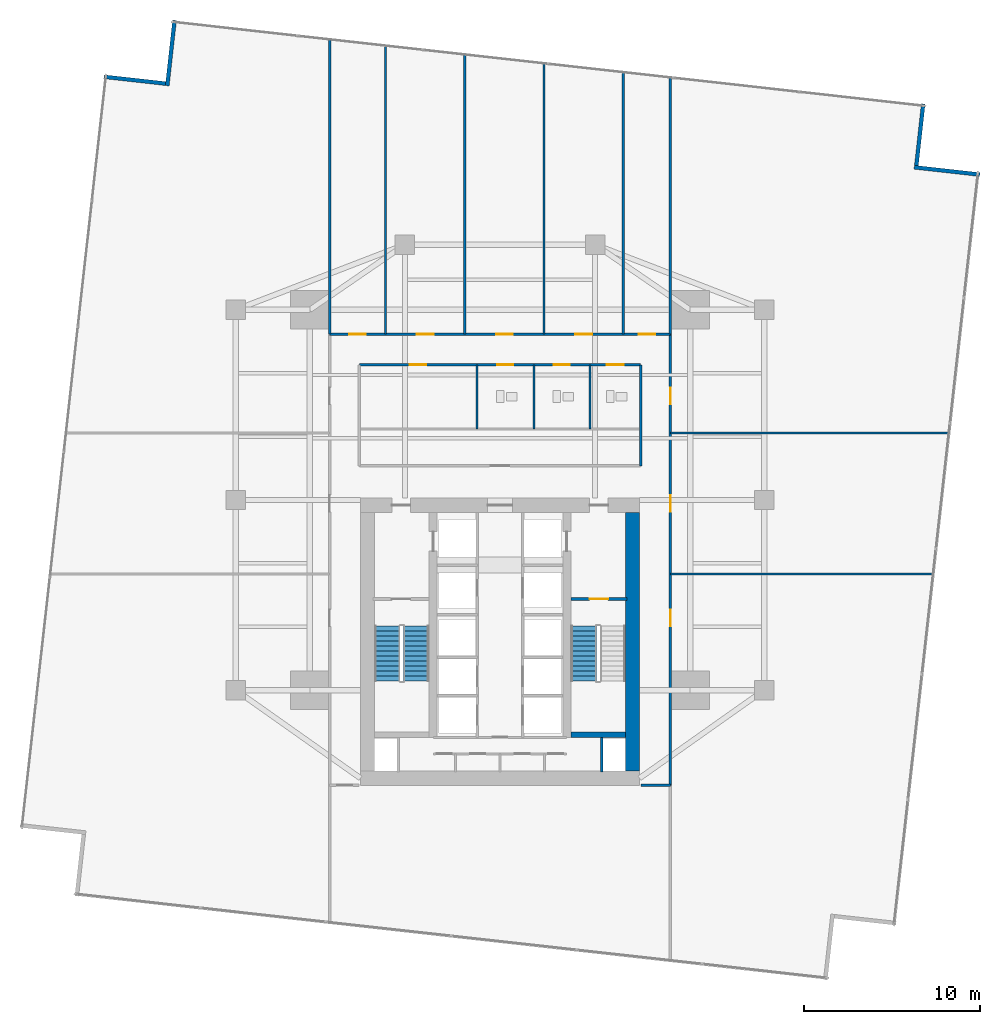
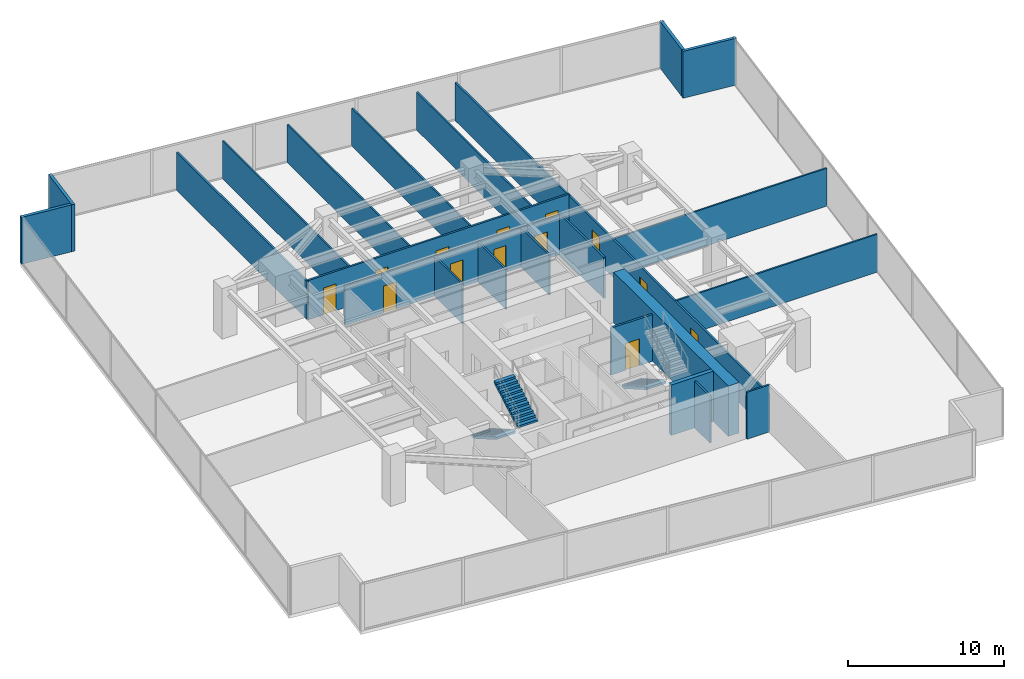
# One storey, part 26 of 29: 24 walls, 13 doors, 3 stair flights, 13 openings, 2 elements without a shape of their own.
"""IFC4 building model written with IfcOpenShell, lengths in metres."""

from ifc_helpers import new_model, si_unit, direction, frame, frame_2d, origin, place, context, subcontext, project, spatial, polyline, rectangle, outline, extrude, material, layer, layer_set, type_object, element, fill, aggregate, save


model = new_model("IFC4")

# Units and contexts
model_context = context("Model", 3, precision=1e-05, world=origin(), true_north=direction((0.0, 1.0)))
body_context = subcontext(model_context, "Body", "Model", "MODEL_VIEW")
ifc_project = project(units=[si_unit("LENGTHUNIT", "METRE"), si_unit("AREAUNIT", "SQUARE_METRE"), si_unit("VOLUMEUNIT", "CUBIC_METRE"), si_unit("PLANEANGLEUNIT", "RADIAN"), si_unit("MASSUNIT", "GRAM", prefix="KILO")], contexts=[model_context])

# Site, building, storey
site_placement = place(None, origin())
site = spatial("IfcSite", under=ifc_project, at=site_placement, CompositionType="ELEMENT")
building_placement = place(site_placement, origin())
building = spatial("IfcBuilding", under=site, at=building_placement, Name="Krantzveldt Concourse Tower", CompositionType="ELEMENT")
storey_placement = place(building_placement, frame((0.0, 0.0, 60.550048828125)))
storey = spatial("IfcBuildingStorey", under=building, at=storey_placement, Name="L14", CompositionType="ELEMENT", Elevation=60.550048828125)

# Walls
ifc_material_1 = material(Name="Anodised aluminium 6063-T6", Category="aluminium")
ifc_layer_1 = layer(ifc_material_1, 0.219970703125, Name="Anodised aluminium 6063-T6", Category="aluminium")
ifc_layer_set_1 = layer_set([ifc_layer_1], Name="Anodised aluminium 6063-T6 (WL-EXT-NOTCH220)")
wall_type_1 = type_object("IfcWallType", Name="WL-EXT-NOTCH220", PredefinedType="ELEMENTEDWALL", material=ifc_layer_set_1)
wall_1_placement = place(storey_placement, frame((17.008056640625, 50.344970703125, 0.0), z_axis=(0.0, 0.0, 1.0), x_axis=(-0.993817675948, 0.111024443135, 0.0)))
element("IfcWall", 1, at=wall_1_placement, inside=storey, type_object=wall_type_1, Name="EW-L14-NCH00", PredefinedType="ELEMENTEDWALL", context=body_context, shape_type="SweptSolid", body=[
    extrude(rectangle(XDim=3.52490234375, YDim=0.219970703125, at=frame_2d((1.762451171875, 0.0))), origin(), (0.0, 0.0, 1.0), 3.669921875),
])
wall_2_placement = place(storey_placement, frame((63.245361328125, 45.178955078125, 0.0), z_axis=(0.0, 0.0, 1.0), x_axis=(-0.99381117716, 0.111082600583, 0.0)))
element("IfcWall", 2, at=wall_2_placement, inside=storey, type_object=wall_type_1, Name="EW-L14-NCH08", PredefinedType="ELEMENTEDWALL", context=body_context, shape_type="SweptSolid", body=[
    extrude(rectangle(XDim=3.7451171875, YDim=0.219970703125, at=frame_2d((1.87255859375, 0.0))), origin(), (0.0, 0.0, 1.0), 3.669921875),
])
wall_3_placement = place(storey_placement, frame((59.64501953125, 45.69189453125, 0.0), z_axis=(0.0, 0.0, 1.0), x_axis=(0.111016801598, 0.993818529593, 0.0)))
element("IfcWall", 3, at=wall_3_placement, inside=storey, type_object=wall_type_1, Name="EW-L14-NCH09", PredefinedType="ELEMENTEDWALL", context=body_context, shape_type="SweptSolid", body=[
    extrude(rectangle(XDim=3.525146484375, YDim=0.219970703125, at=frame_2d((1.7626953125, 0.0))), origin(), (0.0, 0.0, 1.0), 3.669921875),
])
wall_4_placement = place(storey_placement, frame((17.52099609375, 53.9453125, 0.0), z_axis=(0.0, 0.0, 1.0), x_axis=(-0.111082600583, -0.99381117716, 0.0)))
element("IfcWall", 4, at=wall_4_placement, inside=storey, type_object=wall_type_1, Name="EW-L14-NCH11", PredefinedType="ELEMENTEDWALL", context=body_context, shape_type="SweptSolid", body=[
    extrude(rectangle(XDim=3.7451171875, YDim=0.219970703125, at=frame_2d((1.87255859375, 0.0))), origin(), (0.0, 0.0, 1.0), 3.669921875),
])
ifc_material_2 = material(Name="Fire-rated gypsum plasterboard on steel stud", Category="steel")
ifc_layer_2 = layer(ifc_material_2, 0.1201171875, Name="Fire-rated gypsum plasterboard on steel stud", Category="steel")
ifc_layer_set_2 = layer_set([ifc_layer_2], Name="Fire-rated gypsum plasterboard on steel stud (WL-PART-120)")
wall_type_2 = type_object("IfcWallType", Name="WL-PART-120", PredefinedType="PARTITIONING", material=ifc_layer_set_2)
for number, where, z_axis, x_axis, name in (
    (5, (37.919921875, 30.739990234375, 0.0), (0.0, 0.0, 1.0), (0.0, 1.0, 0.0), "WP-L14-WCD1"),
    (6, (41.1201171875, 30.739990234375, 0.0), (0.0, 0.0, 1.0), (0.0, 1.0, 0.0), "WP-L14-WCD2"),
    (7, (34.699951171875, 30.739990234375, 0.0), (0.0, 0.0, 1.0), (0.0, 1.0, 0.0), "WP-L14-WCD3"),
):
    element("IfcWall", number, at=place(storey_placement, frame(where, z_axis=z_axis, x_axis=x_axis)), inside=storey, type_object=wall_type_2, Name=name, PredefinedType="PARTITIONING", context=body_context, shape_type="SweptSolid", body=[
        extrude(rectangle(XDim=3.639892578125, YDim=0.1201171875, at=frame_2d((1.81982421875, 0.0))), origin(), (0.0, 0.0, 1.0), 3.119873046875),
    ])
wall_5_placement = place(storey_placement, frame((29.5, 36.1201171875, 0.0), z_axis=(0.0, 0.0, 1.0), x_axis=(0.0, 1.0, 0.0)))
element("IfcWall", 8, at=wall_5_placement, inside=storey, type_object=wall_type_2, Name="WP-L14-ND1", PredefinedType="PARTITIONING", context=body_context, shape_type="SweptSolid", body=[
    extrude(rectangle(XDim=16.37109375, YDim=0.1201171875, at=frame_2d((8.185546875, 0.0))), origin(), (0.0, 0.0, 1.0), 2.969970703125),
])
wall_6_placement = place(storey_placement, frame((34.0, 36.1201171875, 0.0), z_axis=(0.0, 0.0, 1.0), x_axis=(0.0, 1.0, 0.0)))
element("IfcWall", 9, at=wall_6_placement, inside=storey, type_object=wall_type_2, Name="WP-L14-ND2", PredefinedType="PARTITIONING", context=body_context, shape_type="SweptSolid", body=[
    extrude(rectangle(XDim=15.8681640625, YDim=0.1201171875, at=frame_2d((7.93408203125, 0.0))), origin(), (0.0, 0.0, 1.0), 2.969970703125),
])
wall_7_placement = place(storey_placement, frame((38.5, 36.1201171875, 0.0), z_axis=(0.0, 0.0, 1.0), x_axis=(0.0, 1.0, 0.0)))
element("IfcWall", 10, at=wall_7_placement, inside=storey, type_object=wall_type_2, Name="WP-L14-ND3", PredefinedType="PARTITIONING", context=body_context, shape_type="SweptSolid", body=[
    extrude(rectangle(XDim=15.365478515625, YDim=0.1201171875, at=frame_2d((7.6826171875, 0.0))), origin(), (0.0, 0.0, 1.0), 2.969970703125),
])
wall_8_placement = place(storey_placement, frame((43.0, 36.1201171875, 0.0), z_axis=(0.0, 0.0, 1.0), x_axis=(0.0, 1.0, 0.0)))
element("IfcWall", 11, at=wall_8_placement, inside=storey, type_object=wall_type_2, Name="WP-L14-ND4", PredefinedType="PARTITIONING", context=body_context, shape_type="SweptSolid", body=[
    extrude(rectangle(XDim=14.86279296875, YDim=0.1201171875, at=frame_2d((7.431396484375, 0.0))), origin(), (0.0, 0.0, 1.0), 2.969970703125),
])
wall_9_placement = place(storey_placement, frame((45.679931640625, 22.5, 0.0), z_axis=(0.0, 0.0, 1.0), x_axis=(1.0, 0.0, 0.0)))
element("IfcWall", 12, at=wall_9_placement, inside=storey, type_object=wall_type_2, Name="WP-L14-ED1", PredefinedType="PARTITIONING", context=body_context, shape_type="SweptSolid", body=[
    extrude(rectangle(XDim=14.915771484375, YDim=0.1201171875, at=frame_2d((7.4580078125, 0.0))), origin(), (0.0, 0.0, 1.0), 2.969970703125),
])
wall_10_placement = place(storey_placement, frame((45.679931640625, 30.5, 0.0), z_axis=(0.0, 0.0, 1.0), x_axis=(1.0, 0.0, 0.0)))
element("IfcWall", 13, at=wall_10_placement, inside=storey, type_object=wall_type_2, Name="WP-L14-ED2", PredefinedType="PARTITIONING", context=body_context, shape_type="SweptSolid", body=[
    extrude(rectangle(XDim=15.8095703125, YDim=0.1201171875, at=frame_2d((7.90478515625, 0.0))), origin(), (0.0, 0.0, 1.0), 2.969970703125),
])

# Wall, openings, doors
ifc_layer_3 = layer(ifc_material_2, 0.139892578125, Name="Fire-rated gypsum plasterboard on steel stud", Category="steel")
ifc_layer_set_3 = layer_set([ifc_layer_3], Name="Fire-rated gypsum plasterboard on steel stud (WL-PART-140)")
wall_type_3 = type_object("IfcWallType", Name="WL-PART-140", PredefinedType="PARTITIONING", material=ifc_layer_set_3)
wall_11_placement = place(storey_placement, frame((28.02001953125, 34.3798828125, 0.0), z_axis=(0.0, 0.0, 1.0), x_axis=(1.0, 0.0, 0.0)))
wall_11 = element("IfcWall", 14, at=wall_11_placement, inside=storey, type_object=wall_type_3, Name="WP-L14-ISLN", PredefinedType="PARTITIONING", context=body_context, shape_type="SweptSolid", body=[
    extrude(rectangle(XDim=15.9599609375, YDim=0.139892578125, at=frame_2d((7.97998046875, 0.0))), origin(), (0.0, 0.0, 1.0), 3.079833984375),
])
opening_1_placement = place(wall_11_placement, frame((7.830078125, 0.0, 0.0)))
opening_1 = element("IfcOpeningElement", 15, at=opening_1_placement, cuts=wall_11, Name="Opening D-IN090", PredefinedType="OPENING", context=body_context, shape_type="SweptSolid", body=[
    extrude(rectangle(XDim=0.89990234375, YDim=2.10009765625, at=frame_2d((0.449951171875, 1.050048828125))), frame((0.0, 0.080078125, 0.0), z_axis=(0.0, -1.0, 0.0), x_axis=(1.0, 0.0, 0.0)), (0.0, 0.0, 1.0), 0.159912109375),
])
opening_2_placement = place(wall_11_placement, frame((11.030029296875, 0.0, 0.0)))
opening_2 = element("IfcOpeningElement", 16, at=opening_2_placement, cuts=wall_11, Name="Opening D-IN090", PredefinedType="OPENING", context=body_context, shape_type="SweptSolid", body=[
    extrude(rectangle(XDim=0.89990234375, YDim=2.10009765625, at=frame_2d((0.449951171875, 1.050048828125))), frame((0.0, 0.080078125, 0.0), z_axis=(0.0, -1.0, 0.0), x_axis=(1.0, 0.0, 0.0)), (0.0, 0.0, 1.0), 0.159912109375),
])
opening_3_placement = place(wall_11_placement, frame((14.054931640625, 0.0, 0.0)))
opening_3 = element("IfcOpeningElement", 17, at=opening_3_placement, cuts=wall_11, Name="Opening D-IN095", PredefinedType="OPENING", context=body_context, shape_type="SweptSolid", body=[
    extrude(rectangle(XDim=0.949951171875, YDim=2.10009765625, at=frame_2d((0.47509765625, 1.050048828125))), frame((0.0, 0.080078125, 0.0), z_axis=(0.0, -1.0, 0.0), x_axis=(1.0, 0.0, 0.0)), (0.0, 0.0, 1.0), 0.159912109375),
])
opening_4_placement = place(wall_11_placement, frame((2.85498046875, 0.0, 0.0)))
opening_4 = element("IfcOpeningElement", 18, at=opening_4_placement, cuts=wall_11, Name="Opening D-IN095", PredefinedType="OPENING", context=body_context, shape_type="SweptSolid", body=[
    extrude(rectangle(XDim=0.949951171875, YDim=2.10009765625, at=frame_2d((0.47509765625, 1.050048828125))), frame((0.0, 0.080078125, 0.0), z_axis=(0.0, -1.0, 0.0), x_axis=(1.0, 0.0, 0.0)), (0.0, 0.0, 1.0), 0.159912109375),
])
ifc_material_3 = material(Name="Hardwood timber", Category="wood")
door_type_1 = type_object("IfcDoorType", Name="DR-INT-900", OperationType="SINGLE_SWING_LEFT", PredefinedType="DOOR", material=ifc_material_3)
door_1_placement = place(opening_1_placement, origin())
door_1 = element("IfcDoor", 19, at=door_1_placement, inside=storey, type_object=door_type_1, Name="DR-L14-WCM", OperationType="SINGLE_SWING_LEFT", OverallHeight=2.10009765625, OverallWidth=0.89990234375, PredefinedType="DOOR", context=body_context, shape_type="SweptSolid", body=[
    extrude(rectangle(XDim=0.89990234375, YDim=2.10009765625, at=frame_2d((0.449951171875, 1.050048828125))), frame((0.0, 0.02490234375, 0.0), z_axis=(0.0, -1.0, 0.0), x_axis=(1.0, 0.0, 0.0)), (0.0, 0.0, 1.0), 0.050048828125),
])
fill(opening_1, door_1)
door_2_placement = place(opening_2_placement, origin())
door_2 = element("IfcDoor", 20, at=door_2_placement, inside=storey, type_object=door_type_1, Name="DR-L14-WCF", OperationType="SINGLE_SWING_RIGHT", OverallHeight=2.10009765625, OverallWidth=0.89990234375, PredefinedType="DOOR", context=body_context, shape_type="SweptSolid", body=[
    extrude(rectangle(XDim=0.89990234375, YDim=2.10009765625, at=frame_2d((0.449951171875, 1.050048828125))), frame((0.0, 0.02490234375, 0.0), z_axis=(0.0, -1.0, 0.0), x_axis=(1.0, 0.0, 0.0)), (0.0, 0.0, 1.0), 0.050048828125),
])
fill(opening_2, door_2)
door_type_2 = type_object("IfcDoorType", Name="DR-INT-950", OperationType="SINGLE_SWING_LEFT", PredefinedType="DOOR", material=ifc_material_3)
door_3_placement = place(opening_3_placement, origin())
door_3 = element("IfcDoor", 21, at=door_3_placement, inside=storey, type_object=door_type_2, Name="DR-L14-WCA", OperationType="SINGLE_SWING_LEFT", OverallHeight=2.10009765625, OverallWidth=0.949951171875, PredefinedType="DOOR", context=body_context, shape_type="SweptSolid", body=[
    extrude(rectangle(XDim=0.949951171875, YDim=2.10009765625, at=frame_2d((0.47509765625, 1.050048828125))), frame((0.0, 0.02490234375, 0.0), z_axis=(0.0, -1.0, 0.0), x_axis=(1.0, 0.0, 0.0)), (0.0, 0.0, 1.0), 0.050048828125),
])
fill(opening_3, door_3)
door_4_placement = place(opening_4_placement, origin())
door_4 = element("IfcDoor", 22, at=door_4_placement, inside=storey, type_object=door_type_2, Name="DR-L14-PNT", OperationType="SINGLE_SWING_RIGHT", OverallHeight=2.10009765625, OverallWidth=0.949951171875, PredefinedType="DOOR", context=body_context, shape_type="SweptSolid", body=[
    extrude(rectangle(XDim=0.949951171875, YDim=2.10009765625, at=frame_2d((0.47509765625, 1.050048828125))), frame((0.0, 0.02490234375, 0.0), z_axis=(0.0, -1.0, 0.0), x_axis=(1.0, 0.0, 0.0)), (0.0, 0.0, 1.0), 0.050048828125),
])
fill(opening_4, door_4)

# Wall
wall_12_placement = place(storey_placement, frame((43.97998046875, 28.639892578125, 0.0), z_axis=(0.0, 0.0, 1.0), x_axis=(0.0, 1.0, 0.0)))
element("IfcWall", 23, at=wall_12_placement, inside=storey, type_object=wall_type_3, Name="WP-L14-ISLE", PredefinedType="PARTITIONING", context=body_context, shape_type="SweptSolid", body=[
    extrude(rectangle(XDim=5.739990234375, YDim=0.139892578125, at=frame_2d((2.8701171875, 0.0))), origin(), (0.0, 0.0, 1.0), 3.219970703125),
])

# Wall, openings, doors
wall_13_placement = place(storey_placement, frame((26.320068359375, 36.1201171875, 0.0), z_axis=(0.0, 0.0, 1.0), x_axis=(1.0, 0.0, 0.0)))
wall_13 = element("IfcWall", 24, at=wall_13_placement, inside=storey, type_object=wall_type_3, Name="WP-L14-CTOP", PredefinedType="PARTITIONING", context=body_context, shape_type="SweptSolid", body=[
    extrude(rectangle(XDim=19.35986328125, YDim=0.139892578125, at=frame_2d((9.679931640625, 0.0))), origin(), (0.0, 0.0, 1.0), 3.079833984375),
])
opening_5_placement = place(wall_13_placement, frame((1.114990234375, 0.0, 0.0)))
opening_5 = element("IfcOpeningElement", 25, at=opening_5_placement, cuts=wall_13, Name="Opening D-IN095", PredefinedType="OPENING", context=body_context, shape_type="SweptSolid", body=[
    extrude(rectangle(XDim=0.949951171875, YDim=2.10009765625, at=frame_2d((0.47509765625, 1.050048828125))), frame((0.0, 0.080078125, 0.0), z_axis=(0.0, -1.0, 0.0), x_axis=(1.0, 0.0, 0.0)), (0.0, 0.0, 1.0), 0.159912109375),
])
opening_6_placement = place(wall_13_placement, frame((4.955078125, 0.0, 0.0)))
opening_6 = element("IfcOpeningElement", 26, at=opening_6_placement, cuts=wall_13, Name="Opening D-IN095", PredefinedType="OPENING", context=body_context, shape_type="SweptSolid", body=[
    extrude(rectangle(XDim=0.949951171875, YDim=2.10009765625, at=frame_2d((0.47509765625, 1.050048828125))), frame((0.0, 0.080078125, 0.0), z_axis=(0.0, -1.0, 0.0), x_axis=(1.0, 0.0, 0.0)), (0.0, 0.0, 1.0), 0.159912109375),
])
opening_7_placement = place(wall_13_placement, frame((9.455078125, 0.0, 0.0)))
opening_7 = element("IfcOpeningElement", 27, at=opening_7_placement, cuts=wall_13, Name="Opening D-IN095", PredefinedType="OPENING", context=body_context, shape_type="SweptSolid", body=[
    extrude(rectangle(XDim=0.949951171875, YDim=2.10009765625, at=frame_2d((0.47509765625, 1.050048828125))), frame((0.0, 0.080078125, 0.0), z_axis=(0.0, -1.0, 0.0), x_axis=(1.0, 0.0, 0.0)), (0.0, 0.0, 1.0), 0.159912109375),
])
opening_8_placement = place(wall_13_placement, frame((13.955078125, 0.0, 0.0)))
opening_8 = element("IfcOpeningElement", 28, at=opening_8_placement, cuts=wall_13, Name="Opening D-IN095", PredefinedType="OPENING", context=body_context, shape_type="SweptSolid", body=[
    extrude(rectangle(XDim=0.949951171875, YDim=2.10009765625, at=frame_2d((0.47509765625, 1.050048828125))), frame((0.0, 0.080078125, 0.0), z_axis=(0.0, -1.0, 0.0), x_axis=(1.0, 0.0, 0.0)), (0.0, 0.0, 1.0), 0.159912109375),
])
opening_9_placement = place(wall_13_placement, frame((17.544921875, 0.0, 0.0)))
opening_9 = element("IfcOpeningElement", 29, at=opening_9_placement, cuts=wall_13, Name="Opening D-IN095", PredefinedType="OPENING", context=body_context, shape_type="SweptSolid", body=[
    extrude(rectangle(XDim=0.949951171875, YDim=2.10009765625, at=frame_2d((0.47509765625, 1.050048828125))), frame((0.0, 0.080078125, 0.0), z_axis=(0.0, -1.0, 0.0), x_axis=(1.0, 0.0, 0.0)), (0.0, 0.0, 1.0), 0.159912109375),
])
door_5_placement = place(opening_5_placement, origin())
door_5 = element("IfcDoor", 30, at=door_5_placement, inside=storey, type_object=door_type_2, Name="DR-L14-NR1", OperationType="SINGLE_SWING_LEFT", OverallHeight=2.10009765625, OverallWidth=0.949951171875, PredefinedType="DOOR", context=body_context, shape_type="SweptSolid", body=[
    extrude(rectangle(XDim=0.949951171875, YDim=2.10009765625, at=frame_2d((0.47509765625, 1.050048828125))), frame((0.0, 0.02490234375, 0.0), z_axis=(0.0, -1.0, 0.0), x_axis=(1.0, 0.0, 0.0)), (0.0, 0.0, 1.0), 0.050048828125),
])
fill(opening_5, door_5)
door_6_placement = place(opening_6_placement, origin())
door_6 = element("IfcDoor", 31, at=door_6_placement, inside=storey, type_object=door_type_2, Name="DR-L14-NR2", OperationType="SINGLE_SWING_LEFT", OverallHeight=2.10009765625, OverallWidth=0.949951171875, PredefinedType="DOOR", context=body_context, shape_type="SweptSolid", body=[
    extrude(rectangle(XDim=0.949951171875, YDim=2.10009765625, at=frame_2d((0.47509765625, 1.050048828125))), frame((0.0, 0.02490234375, 0.0), z_axis=(0.0, -1.0, 0.0), x_axis=(1.0, 0.0, 0.0)), (0.0, 0.0, 1.0), 0.050048828125),
])
fill(opening_6, door_6)
door_7_placement = place(opening_7_placement, origin())
door_7 = element("IfcDoor", 32, at=door_7_placement, inside=storey, type_object=door_type_2, Name="DR-L14-NR3", OperationType="SINGLE_SWING_LEFT", OverallHeight=2.10009765625, OverallWidth=0.949951171875, PredefinedType="DOOR", context=body_context, shape_type="SweptSolid", body=[
    extrude(rectangle(XDim=0.949951171875, YDim=2.10009765625, at=frame_2d((0.47509765625, 1.050048828125))), frame((0.0, 0.02490234375, 0.0), z_axis=(0.0, -1.0, 0.0), x_axis=(1.0, 0.0, 0.0)), (0.0, 0.0, 1.0), 0.050048828125),
])
fill(opening_7, door_7)
door_8_placement = place(opening_8_placement, origin())
door_8 = element("IfcDoor", 33, at=door_8_placement, inside=storey, type_object=door_type_2, Name="DR-L14-NR4", OperationType="SINGLE_SWING_LEFT", OverallHeight=2.10009765625, OverallWidth=0.949951171875, PredefinedType="DOOR", context=body_context, shape_type="SweptSolid", body=[
    extrude(rectangle(XDim=0.949951171875, YDim=2.10009765625, at=frame_2d((0.47509765625, 1.050048828125))), frame((0.0, 0.02490234375, 0.0), z_axis=(0.0, -1.0, 0.0), x_axis=(1.0, 0.0, 0.0)), (0.0, 0.0, 1.0), 0.050048828125),
])
fill(opening_8, door_8)
door_9_placement = place(opening_9_placement, origin())
door_9 = element("IfcDoor", 34, at=door_9_placement, inside=storey, type_object=door_type_2, Name="DR-L14-NR5", OperationType="SINGLE_SWING_LEFT", OverallHeight=2.10009765625, OverallWidth=0.949951171875, PredefinedType="DOOR", context=body_context, shape_type="SweptSolid", body=[
    extrude(rectangle(XDim=0.949951171875, YDim=2.10009765625, at=frame_2d((0.47509765625, 1.050048828125))), frame((0.0, 0.02490234375, 0.0), z_axis=(0.0, -1.0, 0.0), x_axis=(1.0, 0.0, 0.0)), (0.0, 0.0, 1.0), 0.050048828125),
])
fill(opening_9, door_9)

wall_14_placement = place(storey_placement, frame((45.679931640625, 10.5, 0.0), z_axis=(0.0, 0.0, 1.0), x_axis=(0.0, 1.0, 0.0)))
wall_14 = element("IfcWall", 35, at=wall_14_placement, inside=storey, type_object=wall_type_3, Name="WP-L14-CEAST", PredefinedType="PARTITIONING", context=body_context, shape_type="SweptSolid", body=[
    extrude(rectangle(XDim=25.6201171875, YDim=0.139892578125, at=frame_2d((12.81005859375, 0.0))), origin(), (0.0, 0.0, 1.0), 2.969970703125),
])
opening_10_placement = place(wall_14_placement, frame((9.02490234375, 0.0, 0.0)))
opening_10 = element("IfcOpeningElement", 36, at=opening_10_placement, cuts=wall_14, Name="Opening D-IN095", PredefinedType="OPENING", context=body_context, shape_type="SweptSolid", body=[
    extrude(rectangle(XDim=0.949951171875, YDim=2.10009765625, at=frame_2d((0.47509765625, 1.050048828125))), frame((0.0, 0.080078125, 0.0), z_axis=(0.0, -1.0, 0.0), x_axis=(1.0, 0.0, 0.0)), (0.0, 0.0, 1.0), 0.159912109375),
])
opening_11_placement = place(wall_14_placement, frame((15.52490234375, 0.0, 0.0)))
opening_11 = element("IfcOpeningElement", 37, at=opening_11_placement, cuts=wall_14, Name="Opening D-IN095", PredefinedType="OPENING", context=body_context, shape_type="SweptSolid", body=[
    extrude(rectangle(XDim=0.949951171875, YDim=2.10009765625, at=frame_2d((0.47509765625, 1.050048828125))), frame((0.0, 0.080078125, 0.0), z_axis=(0.0, -1.0, 0.0), x_axis=(1.0, 0.0, 0.0)), (0.0, 0.0, 1.0), 0.159912109375),
])
opening_12_placement = place(wall_14_placement, frame((21.625, 0.0, 0.0)))
opening_12 = element("IfcOpeningElement", 38, at=opening_12_placement, cuts=wall_14, Name="Opening D-IN095", PredefinedType="OPENING", context=body_context, shape_type="SweptSolid", body=[
    extrude(rectangle(XDim=0.949951171875, YDim=2.10009765625, at=frame_2d((0.47509765625, 1.050048828125))), frame((0.0, 0.080078125, 0.0), z_axis=(0.0, -1.0, 0.0), x_axis=(1.0, 0.0, 0.0)), (0.0, 0.0, 1.0), 0.159912109375),
])
door_10_placement = place(opening_10_placement, origin())
door_10 = element("IfcDoor", 39, at=door_10_placement, inside=storey, type_object=door_type_2, Name="DR-L14-ER1", OperationType="SINGLE_SWING_LEFT", OverallHeight=2.10009765625, OverallWidth=0.949951171875, PredefinedType="DOOR", context=body_context, shape_type="SweptSolid", body=[
    extrude(rectangle(XDim=0.949951171875, YDim=2.10009765625, at=frame_2d((0.47509765625, 1.050048828125))), frame((0.0, 0.02490234375, 0.0), z_axis=(0.0, -1.0, 0.0), x_axis=(1.0, 0.0, 0.0)), (0.0, 0.0, 1.0), 0.050048828125),
])
fill(opening_10, door_10)
door_11_placement = place(opening_11_placement, origin())
door_11 = element("IfcDoor", 40, at=door_11_placement, inside=storey, type_object=door_type_2, Name="DR-L14-ER2", OperationType="SINGLE_SWING_LEFT", OverallHeight=2.10009765625, OverallWidth=0.949951171875, PredefinedType="DOOR", context=body_context, shape_type="SweptSolid", body=[
    extrude(rectangle(XDim=0.949951171875, YDim=2.10009765625, at=frame_2d((0.47509765625, 1.050048828125))), frame((0.0, 0.02490234375, 0.0), z_axis=(0.0, -1.0, 0.0), x_axis=(1.0, 0.0, 0.0)), (0.0, 0.0, 1.0), 0.050048828125),
])
fill(opening_11, door_11)
door_12_placement = place(opening_12_placement, origin())
door_12 = element("IfcDoor", 41, at=door_12_placement, inside=storey, type_object=door_type_2, Name="DR-L14-ER3", OperationType="SINGLE_SWING_LEFT", OverallHeight=2.10009765625, OverallWidth=0.949951171875, PredefinedType="DOOR", context=body_context, shape_type="SweptSolid", body=[
    extrude(rectangle(XDim=0.949951171875, YDim=2.10009765625, at=frame_2d((0.47509765625, 1.050048828125))), frame((0.0, 0.02490234375, 0.0), z_axis=(0.0, -1.0, 0.0), x_axis=(1.0, 0.0, 0.0)), (0.0, 0.0, 1.0), 0.050048828125),
])
fill(opening_12, door_12)

# Walls
wall_15_placement = place(storey_placement, frame((44.0, 10.5, 0.0), z_axis=(0.0, 0.0, 1.0), x_axis=(1.0, 0.0, 0.0)))
element("IfcWall", 42, at=wall_15_placement, inside=storey, type_object=wall_type_3, Name="WP-L14-CEBOT", PredefinedType="PARTITIONING", context=body_context, shape_type="SweptSolid", body=[
    extrude(rectangle(XDim=1.679931640625, YDim=0.139892578125, at=frame_2d((0.83984375, 0.0))), origin(), (0.0, 0.0, 1.0), 3.669921875),
])
wall_16_placement = place(storey_placement, frame((26.320068359375, 36.1201171875, 0.0), z_axis=(0.0, 0.0, 1.0), x_axis=(0.0, 1.0, 0.0)))
element("IfcWall", 43, at=wall_16_placement, inside=storey, type_object=wall_type_3, Name="WP-L14-NWL", PredefinedType="PARTITIONING", context=body_context, shape_type="SweptSolid", body=[
    extrude(rectangle(XDim=16.726318359375, YDim=0.139892578125, at=frame_2d((8.36328125, 0.0))), origin(), (0.0, 0.0, 1.0), 2.969970703125),
])
wall_17_placement = place(storey_placement, frame((45.679931640625, 36.1201171875, 0.0), z_axis=(0.0, 0.0, 1.0), x_axis=(0.0, 1.0, 0.0)))
element("IfcWall", 44, at=wall_17_placement, inside=storey, type_object=wall_type_3, Name="WP-L14-NER", PredefinedType="PARTITIONING", context=body_context, shape_type="SweptSolid", body=[
    extrude(rectangle(XDim=14.5634765625, YDim=0.139892578125, at=frame_2d((7.28173828125, 0.0))), origin(), (0.0, 0.0, 1.0), 2.969970703125),
])
ifc_layer_4 = layer(ifc_material_2, 0.139892578125, Name="Fire-rated gypsum plasterboard on steel stud", Category="steel")
ifc_layer_set_4 = layer_set([ifc_layer_4], Name="Fire-rated gypsum plasterboard on steel stud (WL-PART-FR140)")
wall_type_4 = type_object("IfcWallType", Name="WL-PART-FR140", PredefinedType="PARTITIONING", material=ifc_layer_set_4)
wall_18_placement = place(storey_placement, frame((41.780029296875, 11.25, 0.0), z_axis=(0.0, 0.0, 1.0), x_axis=(0.0, 1.0, 0.0)))
element("IfcWall", 45, at=wall_18_placement, inside=storey, type_object=wall_type_4, Name="WP-L14-RSE", PredefinedType="PARTITIONING", context=body_context, shape_type="SweptSolid", body=[
    extrude(rectangle(XDim=1.969970703125, YDim=0.1201171875, at=frame_2d((0.98486328125, 0.0))), origin(), (0.0, 0.0, 1.0), 3.669921875),
])

# Wall, opening, door
ifc_layer_5 = layer(ifc_material_2, 0.159912109375, Name="Fire-rated gypsum plasterboard on steel stud", Category="steel")
ifc_layer_set_5 = layer_set([ifc_layer_5], Name="Fire-rated gypsum plasterboard on steel stud (WL-PART-FR160)")
wall_type_5 = type_object("IfcWallType", Name="WL-PART-FR160", PredefinedType="PARTITIONING", material=ifc_layer_set_5)
wall_19_placement = place(storey_placement, frame((40.0400390625, 21.080078125, 0.0), z_axis=(0.0, 0.0, 1.0), x_axis=(1.0, 0.0, 0.0)))
wall_19 = element("IfcWall", 46, at=wall_19_placement, inside=storey, type_object=wall_type_5, Name="WP-L14-ST2", PredefinedType="PARTITIONING", context=body_context, shape_type="SweptSolid", body=[
    extrude(rectangle(XDim=3.159912109375, YDim=0.159912109375, at=frame_2d((1.580078125, 0.0))), origin(), (0.0, 0.0, 1.0), 3.669921875),
])
opening_13_placement = place(wall_19_placement, frame((1.054931640625, 0.0, 0.0)))
opening_13 = element("IfcOpeningElement", 47, at=opening_13_placement, cuts=wall_19, Name="Opening D-FD105", PredefinedType="OPENING", context=body_context, shape_type="SweptSolid", body=[
    extrude(rectangle(XDim=1.050048828125, YDim=2.10009765625, at=frame_2d((0.52490234375, 1.050048828125))), frame((0.0, 0.08984375, 0.0), z_axis=(0.0, -1.0, 0.0), x_axis=(1.0, 0.0, 0.0)), (0.0, 0.0, 1.0), 0.179931640625),
])
ifc_material_4 = material(Name="Galvanised steel", Category="steel")
door_type_3 = type_object("IfcDoorType", Name="DR-FD120-1050", OperationType="SINGLE_SWING_LEFT", PredefinedType="DOOR", material=ifc_material_4)
door_13_placement = place(opening_13_placement, origin())
door_13 = element("IfcDoor", 48, at=door_13_placement, inside=storey, type_object=door_type_3, Name="DR-L14-ST2", OperationType="SINGLE_SWING_LEFT", OverallHeight=2.10009765625, OverallWidth=1.050048828125, PredefinedType="DOOR", context=body_context, shape_type="SweptSolid", body=[
    extrude(rectangle(XDim=1.050048828125, YDim=2.10009765625, at=frame_2d((0.52490234375, 1.050048828125))), frame((0.0, 0.02490234375, 0.0), z_axis=(0.0, -1.0, 0.0), x_axis=(1.0, 0.0, 0.0)), (0.0, 0.0, 1.0), 0.050048828125),
])
fill(opening_13, door_13)

# Walls
ifc_material_5 = material(Name="Concrete C50/60", Category="concrete")
ifc_layer_6 = layer(ifc_material_5, 0.300048828125, Name="Concrete C50/60", Category="concrete")
ifc_layer_set_6 = layer_set([ifc_layer_6], Name="Concrete C50/60 (WL-SHEAR-300)")
wall_type_6 = type_object("IfcWallType", Name="WL-SHEAR-300", PredefinedType="SHEAR", material=ifc_layer_set_6)
wall_20_placement = place(storey_placement, frame((40.02001953125, 13.3701171875, 0.0), z_axis=(0.0, 0.0, 1.0), x_axis=(1.0, 0.0, 0.0)))
element("IfcWall", 49, at=wall_20_placement, inside=storey, type_object=wall_type_6, Name="CW-L14-ST2S", PredefinedType="SHEAR", context=body_context, shape_type="SweptSolid", body=[
    extrude(rectangle(XDim=3.10009765625, YDim=0.300048828125, at=frame_2d((1.550048828125, 0.0))), origin(), (0.0, 0.0, 1.0), 3.949951171875),
])
ifc_material_6 = material(Name="Concrete C60/75", Category="concrete")
ifc_layer_7 = layer(ifc_material_6, 0.800048828125, Name="Concrete C60/75", Category="concrete")
ifc_layer_set_7 = layer_set([ifc_layer_7], Name="Concrete C60/75 (WL-SHEAR-800)")
wall_type_7 = type_object("IfcWallType", Name="WL-SHEAR-800", PredefinedType="SHEAR", material=ifc_layer_set_7)
wall_21_placement = place(storey_placement, frame((43.52001953125, 11.300048828125, 0.0), z_axis=(0.0, 0.0, 1.0), x_axis=(0.0, 1.0, 0.0)))
element("IfcWall", 50, at=wall_21_placement, inside=storey, type_object=wall_type_7, Name="CW-L14-E", PredefinedType="SHEAR", context=body_context, shape_type="SweptSolid", body=[
    extrude(rectangle(XDim=14.699951171875, YDim=0.800048828125, at=frame_2d((7.35009765625, 0.0))), origin(), (0.0, 0.0, 1.0), 3.949951171875),
])

# Stair, stair flights
ifc_material_7 = material(Name="Precast concrete C40/50", Category="concrete")
stair_type = type_object("IfcStairType", Name="STR-CORE-DOGLEG", PredefinedType="HALF_TURN_STAIR", material=ifc_material_7)
stair_1_placement = place(storey_placement, origin())
stair_1 = element("IfcStair", 51, at=stair_1_placement, inside=storey, type_object=stair_type, Name="L14 Protected Escape Stair ST-1", PredefinedType="HALF_TURN_STAIR")
stair_flight_type = type_object("IfcStairFlightType", Name="STF-CORE-1450", PredefinedType="STRAIGHT", material=ifc_material_7)
stair_flight_1_placement = place(storey_placement, frame((29.60498046875, 19.550048828125, 0.0), z_axis=(0.0, 0.0, 1.0), x_axis=(0.0, -1.0, 0.0)))
stair_flight_1 = element("IfcStairFlight", 52, at=stair_flight_1_placement, type_object=stair_flight_type, Name="ST-1 flight 1", NumberOfRisers=12, NumberOfTreads=11, PredefinedType="STRAIGHT", RiserHeight=0.164583333, TreadLength=0.285, context=body_context, shape_type="SweptSolid", body=[
    extrude(outline(polyline([(0.0, 0.0), (0.0, 0.16455078125), (0.284912109375, 0.16455078125), (0.284912109375, 0.3291015625), (0.570068359375, 0.3291015625), (0.570068359375, 0.49365234375), (0.85498046875, 0.49365234375), (0.85498046875, 0.658447265625), (1.139892578125, 0.658447265625), (1.139892578125, 0.822998046875), (1.425048828125, 0.822998046875), (1.425048828125, 0.987548828125), (1.7099609375, 0.987548828125), (1.7099609375, 1.152099609375), (1.9951171875, 1.152099609375), (1.9951171875, 1.316650390625), (2.280029296875, 1.316650390625), (2.280029296875, 1.481201171875), (2.56494140625, 1.481201171875), (2.56494140625, 1.645751953125), (2.85009765625, 1.645751953125), (2.85009765625, 1.810302734375), (3.135009765625, 1.810302734375), (3.135009765625, 1.97509765625), (3.135009765625, 1.63720703125), (0.2998046875, 0.0), (0.0, 0.0)])), frame((0.0, 0.72509765625, 0.0), z_axis=(0.0, -1.0, 0.0), x_axis=(1.0, 0.0, 0.0)), (0.0, 0.0, 1.0), 1.449951171875),
])
stair_flight_2_placement = place(storey_placement, frame((31.2548828125, 16.4150390625, 1.974853515625), z_axis=(0.0, 0.0, 1.0), x_axis=(0.0, 1.0, 0.0)))
stair_flight_2 = element("IfcStairFlight", 53, at=stair_flight_2_placement, type_object=stair_flight_type, Name="ST-1 flight 2", NumberOfRisers=12, NumberOfTreads=11, PredefinedType="STRAIGHT", RiserHeight=0.164583333, TreadLength=0.285, context=body_context, shape_type="SweptSolid", body=[
    extrude(outline(polyline([(0.0, 0.0), (0.0, 0.16455078125), (0.284912109375, 0.16455078125), (0.284912109375, 0.3291015625), (0.570068359375, 0.3291015625), (0.570068359375, 0.49365234375), (0.85498046875, 0.49365234375), (0.85498046875, 0.658447265625), (1.139892578125, 0.658447265625), (1.139892578125, 0.822998046875), (1.425048828125, 0.822998046875), (1.425048828125, 0.987548828125), (1.7099609375, 0.987548828125), (1.7099609375, 1.152099609375), (1.9951171875, 1.152099609375), (1.9951171875, 1.316650390625), (2.280029296875, 1.316650390625), (2.280029296875, 1.481201171875), (2.56494140625, 1.481201171875), (2.56494140625, 1.645751953125), (2.85009765625, 1.645751953125), (2.85009765625, 1.810302734375), (3.135009765625, 1.810302734375), (3.135009765625, 1.97509765625), (3.135009765625, 1.63720703125), (0.2998046875, 0.0), (0.0, 0.0)])), frame((0.0, 0.72509765625, 0.0), z_axis=(0.0, -1.0, 0.0), x_axis=(1.0, 0.0, 0.0)), (0.0, 0.0, 1.0), 1.449951171875),
])
aggregate(stair_1, [stair_flight_1, stair_flight_2])

# Stair, stair flight
stair_2_placement = place(storey_placement, origin())
stair_2 = element("IfcStair", 54, at=stair_2_placement, inside=storey, type_object=stair_type, Name="L14 Protected Escape Stair ST-2", PredefinedType="HALF_TURN_STAIR")
stair_flight_3_placement = place(storey_placement, frame((40.7451171875, 19.550048828125, 0.0), z_axis=(0.0, 0.0, 1.0), x_axis=(0.0, -1.0, 0.0)))
stair_flight_3 = element("IfcStairFlight", 55, at=stair_flight_3_placement, type_object=stair_flight_type, Name="ST-2 flight 1", NumberOfRisers=12, NumberOfTreads=11, PredefinedType="STRAIGHT", RiserHeight=0.164583333, TreadLength=0.285, context=body_context, shape_type="SweptSolid", body=[
    extrude(outline(polyline([(0.0, 0.0), (0.0, 0.16455078125), (0.284912109375, 0.16455078125), (0.284912109375, 0.3291015625), (0.570068359375, 0.3291015625), (0.570068359375, 0.49365234375), (0.85498046875, 0.49365234375), (0.85498046875, 0.658447265625), (1.139892578125, 0.658447265625), (1.139892578125, 0.822998046875), (1.425048828125, 0.822998046875), (1.425048828125, 0.987548828125), (1.7099609375, 0.987548828125), (1.7099609375, 1.152099609375), (1.9951171875, 1.152099609375), (1.9951171875, 1.316650390625), (2.280029296875, 1.316650390625), (2.280029296875, 1.481201171875), (2.56494140625, 1.481201171875), (2.56494140625, 1.645751953125), (2.85009765625, 1.645751953125), (2.85009765625, 1.810302734375), (3.135009765625, 1.810302734375), (3.135009765625, 1.97509765625), (3.135009765625, 1.63720703125), (0.2998046875, 0.0), (0.0, 0.0)])), frame((0.0, 0.72509765625, 0.0), z_axis=(0.0, -1.0, 0.0), x_axis=(1.0, 0.0, 0.0)), (0.0, 0.0, 1.0), 1.449951171875),
])
aggregate(stair_2, [stair_flight_3])

save(model, "model.ifc")
